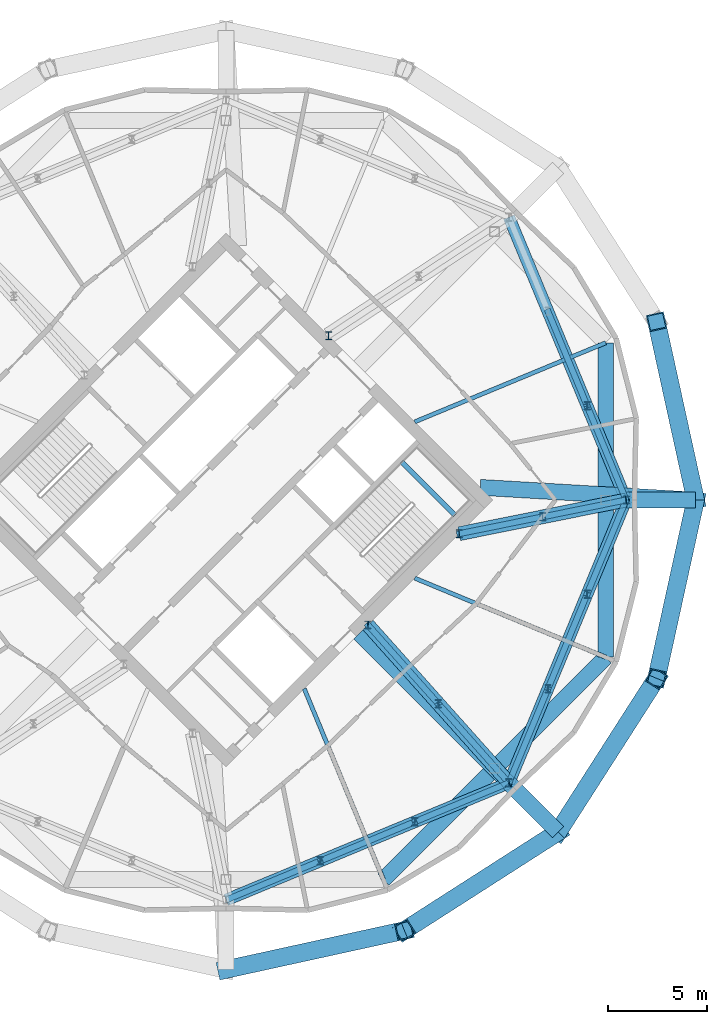
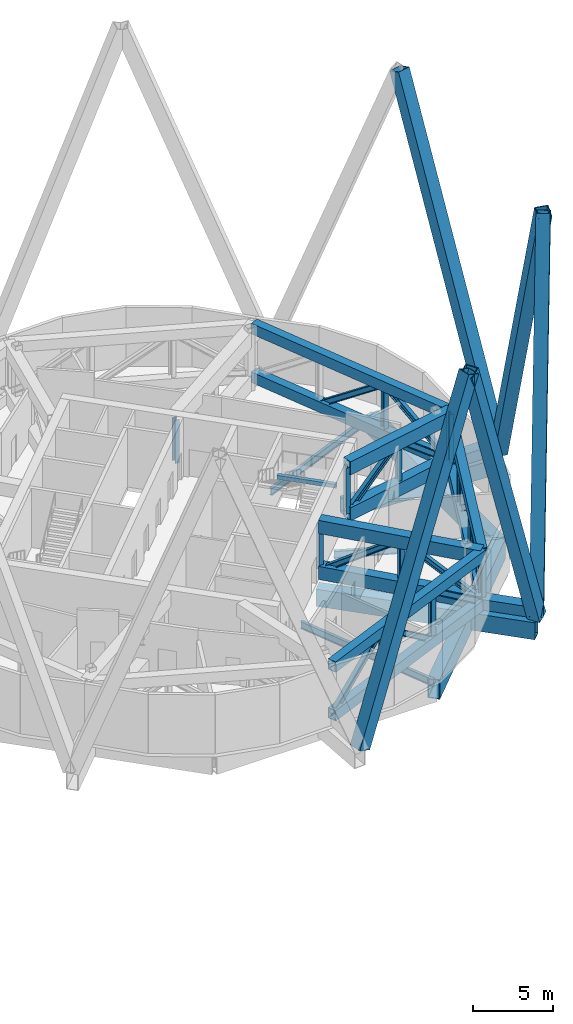
# One storey, part 9 of 19: 39 members, 10 beams.
"""IFC4 building model written with IfcOpenShell, lengths in metres."""

import ifcopenshell
import ifcopenshell.guid

model = None  # the IFC model being written
_history = None  # IfcOwnerHistory: only IFC2X3 demands one
_inside = {}  # id of a spatial element -> (the spatial element, [elements in it])
_under = {}  # id of a project, library or spatial element -> (it, [spatial elements below it])
_declared = {}  # id of a project -> (the project, [libraries it declares])
_typed = {}  # id of a type object -> (the type object, [elements of that type])
_made_of = {}  # id of a material, layer set ... -> (it, [elements and type objects made of it])


def new_model(schema):
    """Start an empty IFC model of exactly this schema.

    Asked for "IFC4X3", IfcOpenShell would pick the latest addendum, in which some entities
    have other attributes; the version numbers below select the first issue.
    IFC2X3 requires an IfcOwnerHistory on every rooted entity: one is made here for all.
    """
    global model, _history
    if schema == "IFC4X3":
        model = ifcopenshell.file(schema_version=(4, 3, 0, 0))
    else:
        model = ifcopenshell.file(schema=schema)
    _inside.clear()
    _under.clear()
    _declared.clear()
    _typed.clear()
    _made_of.clear()
    _history = None
    if model.schema == "IFC2X3":
        org = make("IfcOrganization", Name="unknown")
        user = make(
            "IfcPersonAndOrganization",
            ThePerson=make("IfcPerson", FamilyName="unknown"),
            TheOrganization=org,
        )
        app = make(
            "IfcApplication",
            ApplicationDeveloper=org,
            Version="unknown",
            ApplicationFullName="unknown",
            ApplicationIdentifier="unknown",
        )
        _history = make(
            "IfcOwnerHistory",
            OwningUser=user,
            OwningApplication=app,
            ChangeAction="ADDED",
            CreationDate=0,
        )
    return model


def make(cls, **values):
    """One entity of the class cls with the attributes given. An attribute that is None is left unset."""
    return model.create_entity(
        cls, **{name: value for name, value in values.items() if value is not None}
    )


def rooted(cls, **values):
    """An entity with a GlobalId (a new one), such as an element, a storey or a relation."""
    return make(cls, GlobalId=ifcopenshell.guid.new(), OwnerHistory=_history, **values)


def si_unit(unit_type, name, prefix=None):
    """IfcSIUnit, for example si_unit("LENGTHUNIT", "METRE", prefix="MILLI")."""
    return make("IfcSIUnit", UnitType=unit_type, Prefix=prefix, Name=name)


def assignment(units):
    """IfcUnitAssignment: the units of a project."""
    return None if units is None else make("IfcUnitAssignment", Units=units)


def point(xyz):
    """IfcCartesianPoint."""
    return None if xyz is None else make("IfcCartesianPoint", Coordinates=xyz)


def direction(xyz):
    """IfcDirection."""
    return None if xyz is None else make("IfcDirection", DirectionRatios=xyz)


def frame(location, z_axis=None, x_axis=None):
    """IfcAxis2Placement3D, a coordinate frame: its origin and axes. An axis left out is left unset."""
    return make(
        "IfcAxis2Placement3D",
        Location=point(location),
        Axis=direction(z_axis),
        RefDirection=direction(x_axis),
    )


def frame_2d(location, x_axis=None):
    """IfcAxis2Placement2D, a coordinate frame in the plane: its origin and x axis."""
    return make(
        "IfcAxis2Placement2D", Location=point(location), RefDirection=direction(x_axis)
    )


def origin():
    """The frame at (0, 0, 0) with its axes left unset."""
    return frame((0.0, 0.0, 0.0))


def origin_2d():
    """The frame at (0, 0) in the plane with its x axis left unset."""
    return frame_2d((0.0, 0.0))


def place(relative_to, where):
    """IfcLocalPlacement: puts the frame where relative to a parent placement (None: the world)."""
    return make(
        "IfcLocalPlacement", PlacementRelTo=relative_to, RelativePlacement=where
    )


def context(
    kind, dimensions, precision=None, world=None, true_north=None, identifier=None
):
    """IfcGeometricRepresentationContext, for example the 3D "Model" context."""
    return make(
        "IfcGeometricRepresentationContext",
        ContextIdentifier=identifier,
        ContextType=kind,
        CoordinateSpaceDimension=dimensions,
        Precision=precision,
        WorldCoordinateSystem=world,
        TrueNorth=true_north,
    )


def subcontext(parent, identifier, kind, view, scale=None):
    """IfcGeometricRepresentationSubContext, for example "Body" below "Model"."""
    return make(
        "IfcGeometricRepresentationSubContext",
        ContextIdentifier=identifier,
        ContextType=kind,
        ParentContext=parent,
        TargetScale=scale,
        TargetView=view,
    )


def project(units=None, contexts=None):
    """IfcProject with its units and contexts."""
    return rooted(
        "IfcProject",
        Name="project",
        RepresentationContexts=contexts,
        UnitsInContext=assignment(units),
    )


def spatial(cls, under=None, at=None, **own):
    """A site, building, storey or space (cls), placed at a placement, below another one or the project."""
    s = rooted(cls, ObjectPlacement=at, **own)
    if under is not None:
        _under.setdefault(under.id(), (under, []))[1].append(s)
    return s


def profile(cls, at=None, kind="AREA", **sizes):
    """A parametric profile (cls). Its sizes go by their IFC names, for example OverallWidth=200.0."""
    return make(cls, ProfileType=kind, Position=at, **sizes)


def rectangle(**sizes):
    """IfcRectangleProfileDef."""
    return profile("IfcRectangleProfileDef", **sizes)


def hollow_rectangle(**sizes):
    """IfcRectangleHollowProfileDef."""
    return profile("IfcRectangleHollowProfileDef", **sizes)


def i_section(**sizes):
    """IfcIShapeProfileDef."""
    return profile("IfcIShapeProfileDef", **sizes)


def extrude(swept, where, along, depth):
    """IfcExtrudedAreaSolid: the profile swept, set in the frame where, extruded along a direction by depth."""
    return make(
        "IfcExtrudedAreaSolid",
        SweptArea=swept,
        Position=where,
        ExtrudedDirection=direction(along),
        Depth=depth,
    )


def shape(context_of_items, identifier, shape_type, items):
    """IfcShapeRepresentation: the items that make up one representation, for example the "Body"."""
    return make(
        "IfcShapeRepresentation",
        ContextOfItems=context_of_items,
        RepresentationIdentifier=identifier,
        RepresentationType=shape_type,
        Items=items,
    )


def material(Name=None, Category=None):
    """IfcMaterial."""
    return make("IfcMaterial", Name=Name, Category=Category)


def material_profile(
    of_material, cross_section, Name=None, Category=None, Priority=None
):
    """IfcMaterialProfile: a cross section and its material."""
    return make(
        "IfcMaterialProfile",
        Name=Name,
        Material=of_material,
        Profile=cross_section,
        Priority=Priority,
        Category=Category,
    )


def profile_set(profiles, Name=None, composite=None):
    """IfcMaterialProfileSet."""
    return make(
        "IfcMaterialProfileSet",
        Name=Name,
        MaterialProfiles=profiles,
        CompositeProfile=composite,
    )


def made_of(thing, what):
    """Note that an element or type object is made of a material, layer set ...; save() writes the relation."""
    if what is not None:
        _made_of.setdefault(what.id(), (what, []))[1].append(thing)
    return thing


def type_object(cls, material=None, **own):
    """A type object (cls), such as IfcWallType, which elements share."""
    return made_of(rooted(cls, **own), material)


def element(
    cls,
    number,
    at=None,
    inside=None,
    cuts=None,
    type_object=None,
    material=None,
    context=None,
    identifier="Body",
    shape_type=None,
    held_by="IfcProductDefinitionShape",
    body=None,
    shapes=None,
    **own,
):
    """One element of the class cls, such as IfcWall. Its Tag is "e" and its number.

    at: its placement. inside: the storey or other place that contains it. cuts: it is an
    opening in that element (IfcRelVoidsElement). A single representation is given by context,
    identifier, shape_type and body (its items); several are given by shapes. held_by: the class
    of the entity that holds the representations. save() writes the other relations.
    """
    e = rooted(cls, Tag="e%d" % number, ObjectPlacement=at, **own)
    if body is not None:
        shapes = [shape(context, identifier, shape_type, body)]
    if shapes is not None:
        e.Representation = make(held_by, Representations=shapes)
    if inside is not None:
        _inside.setdefault(inside.id(), (inside, []))[1].append(e)
    if cuts is not None:
        rooted(
            "IfcRelVoidsElement", RelatingBuildingElement=cuts, RelatedOpeningElement=e
        )
    if type_object is not None:
        _typed.setdefault(type_object.id(), (type_object, []))[1].append(e)
    return made_of(e, material)


def aggregate(whole, parts):
    """IfcRelAggregates: a whole, such as a stair, and the parts it consists of."""
    return rooted("IfcRelAggregates", RelatingObject=whole, RelatedObjects=parts)


def save(model, path):
    """Write the relations noted so far, then the file.

    IfcRelAggregates (storeys below a building ...), IfcRelContainedInSpatialStructure (elements
    in a storey), IfcRelDefinesByType, IfcRelAssociatesMaterial and IfcRelDeclares: one each for
    every whole, place, type object, material and project.
    """
    for whole, parts in _under.values():
        aggregate(whole, parts)
    for where, things in _inside.values():
        rooted(
            "IfcRelContainedInSpatialStructure",
            RelatedElements=things,
            RelatingStructure=where,
        )
    for kind, things in _typed.values():
        rooted("IfcRelDefinesByType", RelatedObjects=things, RelatingType=kind)
    for what, things in _made_of.values():
        rooted("IfcRelAssociatesMaterial", RelatedObjects=things, RelatingMaterial=what)
    for by, libraries in _declared.values():
        rooted("IfcRelDeclares", RelatingContext=by, RelatedDefinitions=libraries)
    model.write(path)


model = new_model("IFC4")

# Units and contexts
model_context = context("Model", 3, precision=1e-05, world=origin(), true_north=direction((0.0, 1.0)))
body_context = subcontext(model_context, "Body", "Model", "MODEL_VIEW")
ifc_project = project(units=[si_unit("LENGTHUNIT", "METRE"), si_unit("AREAUNIT", "SQUARE_METRE"), si_unit("VOLUMEUNIT", "CUBIC_METRE"), si_unit("PLANEANGLEUNIT", "RADIAN"), si_unit("MASSUNIT", "GRAM", prefix="KILO")], contexts=[model_context])

# Site, building, storey
site_placement = place(None, origin())
site = spatial("IfcSite", under=ifc_project, at=site_placement, CompositionType="ELEMENT")
building_placement = place(site_placement, origin())
building = spatial("IfcBuilding", under=site, at=building_placement, Name="Ogive Gate Towers", CompositionType="ELEMENT")
storey_placement = place(building_placement, frame((0.0, 0.0, 216.300048828125)))
storey = spatial("IfcBuildingStorey", under=building, at=storey_placement, Name="L52", CompositionType="ELEMENT", Elevation=216.300048828125)

# Members
ifc_material_1 = material(Name="Steel SM460", Category="steel")
ifc_material_profile_1 = material_profile(ifc_material_1, hollow_rectangle(XDim=0.89990234375, YDim=0.89990234375, WallThickness=0.06005859375, at=origin_2d()), Name="BX 900x900x60")
ifc_profile_set_1 = profile_set([ifc_material_profile_1], Name="Steel SM460")
member_type_1 = type_object("IfcMemberType", Name="Diagrid diagonal BX 900x900x60", PredefinedType="BRACE", material=ifc_profile_set_1)
for number, where, z_axis, x_axis, name in (
    (1, (59.639892578125, 0.0, 0.0), (-0.075657502601, -0.345566183474, 0.935339486571), (0.976861702074, -0.21387195941, 0.0), "T2/L52/SDG001"),
    (2, (59.639892578125, 0.0, 0.0), (-0.075657502601, 0.345566183474, 0.935339486571), (-0.976861702074, -0.21387195941, 0.0), "T2/L52/SDG002"),
    (3, (36.0, -23.639892578125, 0.0), (0.345566183474, 0.075657502601, 0.935339486571), (-0.21387195941, 0.976861702074, 0.0), "T2/L52/SDG014"),
    (4, (52.716064453125, -16.716064453125, 0.0), (-0.297855932112, -0.190849196279, 0.935338670207), (0.539497618887, -0.841987125326, 0.0), "T2/L52/SDG015"),
    (5, (52.716064453125, -16.716064453125, 0.0), (0.190849196279, 0.297855932112, 0.935338670207), (-0.841987125326, 0.539497618887, 0.0), "T2/L52/SDG016"),
):
    element("IfcMember", number, at=place(storey_placement, frame(where, z_axis=z_axis, x_axis=x_axis)), inside=storey, type_object=member_type_1, Name=name, PredefinedType="BRACE", context=body_context, shape_type="SweptSolid", body=[
        extrude(hollow_rectangle(XDim=0.89990234375, YDim=0.89990234375, WallThickness=0.06005859375, at=origin_2d()), origin(), (0.0, 0.0, 1.0), 25.97998046875),
    ])

# Beams
ifc_material_profile_2 = material_profile(ifc_material_1, hollow_rectangle(XDim=0.800048828125, YDim=1.5, WallThickness=0.06005859375, at=origin_2d()), Name="BX 1500x800x60")
ifc_profile_set_2 = profile_set([ifc_material_profile_2], Name="Steel SM460")
beam_type_1 = type_object("IfcBeamType", Name="Edge girder BX 1500x800x60", PredefinedType="BEAM", material=ifc_profile_set_2)
beam_1_placement = place(storey_placement, frame((43.917724609375, -19.114990234375, -1.050048828125), z_axis=(0.707106781187, 0.707106781187, 0.0), x_axis=(-0.707106781187, 0.707106781187, 0.0)))
element("IfcBeam", 6, at=beam_1_placement, inside=storey, type_object=beam_type_1, Name="T2/L52/SBM019", PredefinedType="BEAM", context=body_context, shape_type="SweptSolid", body=[
    extrude(hollow_rectangle(XDim=0.800048828125, YDim=1.5, WallThickness=0.06005859375, at=origin_2d()), origin(), (0.0, 0.0, 1.0), 15.835205078125),
])
beam_2_placement = place(storey_placement, frame((55.114990234375, -7.917724609375, -1.050048828125), z_axis=(0.0, 1.0, 0.0), x_axis=(-1.0, 0.0, 0.0)))
element("IfcBeam", 7, at=beam_2_placement, inside=storey, type_object=beam_type_1, Name="T2/L52/SBM020", PredefinedType="BEAM", context=body_context, shape_type="SweptSolid", body=[
    extrude(hollow_rectangle(XDim=0.800048828125, YDim=1.5, WallThickness=0.06005859375, at=origin_2d()), origin(), (0.0, 0.0, 1.0), 15.83544921875),
])
ifc_material_2 = material(Name="Concrete C40/50", Category="concrete")
ifc_material_profile_3 = material_profile(ifc_material_2, rectangle(XDim=0.25, YDim=0.300048828125, at=origin_2d()), Name="RC 250x300")
ifc_profile_set_3 = profile_set([ifc_material_profile_3], Name="Concrete C40/50")
beam_type_2 = type_object("IfcBeamType", Name="Landing bearer RC 250x300", PredefinedType="BEAM", material=ifc_profile_set_3)
beam_3_placement = place(storey_placement, frame((47.527587890625, -0.77587890625, 2.050048828125), z_axis=(-0.707106781187, 0.707106781187, 0.0), x_axis=(-0.707106781187, -0.707106781187, 0.0)))
element("IfcBeam", 8, at=beam_3_placement, inside=storey, type_object=beam_type_2, Name="T2 L52 stair 2 landing bearer 1", PredefinedType="BEAM", context=body_context, shape_type="SweptSolid", body=[
    extrude(rectangle(XDim=0.25, YDim=0.300048828125, at=origin_2d()), origin(), (0.0, 0.0, 1.0), 3.824951171875),
])
ifc_material_profile_4 = material_profile(ifc_material_1, hollow_rectangle(XDim=0.800048828125, YDim=0.800048828125, WallThickness=0.050048828125, at=origin_2d()), Name="BX 800x800x50")
ifc_profile_set_4 = profile_set([ifc_material_profile_4], Name="Steel SM460")
beam_type_3 = type_object("IfcBeamType", Name="Node arm BX 800x800x50", PredefinedType="BEAM", material=ifc_profile_set_4)
for number, where, z_axis, x_axis, name in (
    (9, (56.139892578125, 0.0, 0.449951171875), (1.0, 0.0, 0.0), (0.0, 1.0, 0.0), "T2/L52/SBM025"),
    (10, (50.2412109375, -14.2412109375, 0.449951171875), (0.707106781187, -0.707106781187, 0.0), (0.707106781187, 0.707106781187, 0.0), "T2/L52/SBM032"),
):
    element("IfcBeam", number, at=place(storey_placement, frame(where, z_axis=z_axis, x_axis=x_axis)), inside=storey, type_object=beam_type_3, Name=name, PredefinedType="BEAM", context=body_context, shape_type="SweptSolid", body=[
        extrude(hollow_rectangle(XDim=0.800048828125, YDim=0.800048828125, WallThickness=0.050048828125, at=origin_2d()), origin(), (0.0, 0.0, 1.0), 3.5),
    ])
ifc_material_3 = material(Name="Steel SM355", Category="steel")
ifc_material_profile_5 = material_profile(ifc_material_3, i_section(OverallWidth=0.2099609375, OverallDepth=0.550048828125, WebThickness=0.010986328125, FlangeThickness=0.01708984375, FilletRadius=0.02392578125, at=origin_2d()), Name="IPE 550")
ifc_profile_set_5 = profile_set([ifc_material_profile_5], Name="Steel SM355")
beam_type_4 = type_object("IfcBeamType", Name="Radial floor beam IPE 550", PredefinedType="BEAM", material=ifc_profile_set_5)
for number, where, z_axis, x_axis, name in (
    (11, (39.93505859375, -9.5, -0.574951171875), (0.382683978464, -0.92387930631, 0.0), (0.92387930631, 0.382683978464, 0.0), "T2/L52/SBM005"),
    (12, (45.5, -3.93505859375, -0.574951171875), (0.92387930631, -0.382683978464, 0.0), (0.382683978464, 0.92387930631, 0.0), "T2/L52/SBM007"),
    (13, (45.5, 3.93505859375, -0.574951171875), (0.92387930631, 0.382683978464, 0.0), (-0.382683978464, 0.92387930631, 0.0), "T2/L52/SBM009"),
):
    element("IfcBeam", number, at=place(storey_placement, frame(where, z_axis=z_axis, x_axis=x_axis)), inside=storey, type_object=beam_type_4, Name=name, PredefinedType="BEAM", context=body_context, shape_type="SweptSolid", body=[
        extrude(i_section(OverallWidth=0.2099609375, OverallDepth=0.550048828125, WebThickness=0.010986328125, FlangeThickness=0.01708984375, FilletRadius=0.02392578125, at=origin_2d()), origin(), (0.0, 0.0, 1.0), 10.4072265625),
    ])
ifc_material_profile_6 = material_profile(ifc_material_1, hollow_rectangle(XDim=0.800048828125, YDim=1.199951171875, WallThickness=0.050048828125, at=origin_2d()), Name="BX 1200x800x50")
ifc_profile_set_6 = profile_set([ifc_material_profile_6], Name="Steel SM460")
beam_type_5 = type_object("IfcBeamType", Name="Transfer radial beam BX 1200x800x50", PredefinedType="BEAM", material=ifc_profile_set_6)
beam_4_placement = place(storey_placement, frame((48.798583984375, 0.636474609375, -0.900146484375), z_axis=(0.998281110822, -0.058607369633, 0.0), x_axis=(0.058607369633, 0.998281110822, 0.0)))
element("IfcBeam", 14, at=beam_4_placement, inside=storey, type_object=beam_type_5, Name="T2/L52/SBM008", PredefinedType="BEAM", context=body_context, shape_type="SweptSolid", body=[
    extrude(hollow_rectangle(XDim=0.800048828125, YDim=1.199951171875, WallThickness=0.050048828125, at=origin_2d()), origin(), (0.0, 0.0, 1.0), 10.85986328125),
])
ifc_material_profile_7 = material_profile(ifc_material_1, hollow_rectangle(XDim=0.800048828125, YDim=1.300048828125, WallThickness=0.050048828125, at=origin_2d()), Name="BX 1300x800x50")
ifc_profile_set_7 = profile_set([ifc_material_profile_7], Name="Steel SM460")
beam_type_6 = type_object("IfcBeamType", Name="Transfer radial beam BX 1300x800x50", PredefinedType="BEAM", material=ifc_profile_set_7)
beam_5_placement = place(storey_placement, frame((42.717529296875, -6.717529296875, -0.949951171875), z_axis=(0.707106781187, -0.707106781187, 0.0), x_axis=(0.707106781187, 0.707106781187, 0.0)))
element("IfcBeam", 15, at=beam_5_placement, inside=storey, type_object=beam_type_6, Name="T2/L52/SBM006", PredefinedType="BEAM", context=body_context, shape_type="SweptSolid", body=[
    extrude(hollow_rectangle(XDim=0.800048828125, YDim=1.300048828125, WallThickness=0.050048828125, at=origin_2d()), origin(), (0.0, 0.0, 1.0), 14.14013671875),
])

# Members
ifc_material_profile_8 = material_profile(ifc_material_1, hollow_rectangle(XDim=0.699951171875, YDim=1.0, WallThickness=0.050048828125, at=origin_2d()), Name="BX 1000x700x50")
ifc_profile_set_8 = profile_set([ifc_material_profile_8], Name="Steel SM460")
member_type_2 = type_object("IfcMemberType", Name="Truss chord BX 1000x700x50", PredefinedType="CHORD", material=ifc_profile_set_8)
for number, where, z_axis, x_axis, name in (
    (16, (47.738037109375, -1.697021484375, 0.5), (0.980205334573, 0.197983590417, 0.0), (-0.197983590417, 0.980205334573, 0.0), "T2/L52/STR010"),
    (17, (47.738037109375, -1.697021484375, 4.0), (0.980205334573, 0.197983590417, 0.0), (-0.197983590417, 0.980205334573, 0.0), "T2/L52/STR011"),
):
    element("IfcMember", number, at=place(storey_placement, frame(where, z_axis=z_axis, x_axis=x_axis)), inside=storey, type_object=member_type_2, Name=name, PredefinedType="CHORD", context=body_context, shape_type="SweptSolid", body=[
        extrude(hollow_rectangle(XDim=0.699951171875, YDim=1.0, WallThickness=0.050048828125, at=origin_2d()), origin(), (0.0, 0.0, 1.0), 8.571533203125),
    ])
for number, where, z_axis, x_axis, name in (
    (18, (43.141845703125, -6.293212890625, 0.5), (0.666169175231, -0.745800663697, 0.0), (0.745800663697, 0.666169175231, 0.0), "T2/L52/STR107"),
    (19, (43.141845703125, -6.293212890625, 4.0), (0.666169175231, -0.745800663697, 0.0), (0.745800663697, 0.666169175231, 0.0), "T2/L52/STR108"),
):
    element("IfcMember", number, at=place(storey_placement, frame(where, z_axis=z_axis, x_axis=x_axis)), inside=storey, type_object=member_type_2, Name=name, PredefinedType="CHORD", context=body_context, shape_type="SweptSolid", body=[
        extrude(hollow_rectangle(XDim=0.699951171875, YDim=1.0, WallThickness=0.050048828125, at=origin_2d()), origin(), (0.0, 0.0, 1.0), 10.656982421875),
    ])
ifc_material_profile_9 = material_profile(ifc_material_1, hollow_rectangle(XDim=0.60009765625, YDim=0.800048828125, WallThickness=0.0400390625, at=origin_2d()), Name="BX 800x600x40")
ifc_profile_set_9 = profile_set([ifc_material_profile_9], Name="Steel SM460")
member_type_3 = type_object("IfcMemberType", Name="Truss chord BX 800x600x40", PredefinedType="CHORD", material=ifc_profile_set_9)
for number, where, z_axis, x_axis, name in (
    (20, (56.139892578125, 0.0, 0.39990234375), (-0.382671190687, 0.923884603085, 0.0), (-0.923884603085, -0.382671190687, 0.0), "T2/L52/STR001"),
    (21, (56.139892578125, 0.0, 4.099853515625), (-0.382671190687, 0.923884603085, 0.0), (-0.923884603085, -0.382671190687, 0.0), "T2/L52/STR002"),
    (22, (36.0, -20.139892578125, 0.39990234375), (0.923884603085, 0.382671190687, 0.0), (-0.382671190687, 0.923884603085, 0.0), "T2/L52/STR086"),
    (23, (36.0, -20.139892578125, 4.099853515625), (0.923884603085, 0.382671190687, 0.0), (-0.382671190687, 0.923884603085, 0.0), "T2/L52/STR087"),
    (24, (50.2412109375, -14.2412109375, 0.39990234375), (0.382671190687, 0.923884603085, 0.0), (-0.923884603085, 0.382671190687, 0.0), "T2/L52/STR100"),
    (25, (50.2412109375, -14.2412109375, 4.099853515625), (0.382671190687, 0.923884603085, 0.0), (-0.923884603085, 0.382671190687, 0.0), "T2/L52/STR101"),
):
    element("IfcMember", number, at=place(storey_placement, frame(where, z_axis=z_axis, x_axis=x_axis)), inside=storey, type_object=member_type_3, Name=name, PredefinedType="CHORD", context=body_context, shape_type="SweptSolid", body=[
        extrude(hollow_rectangle(XDim=0.60009765625, YDim=0.800048828125, WallThickness=0.0400390625, at=origin_2d()), origin(), (0.0, 0.0, 1.0), 15.41455078125),
    ])
ifc_material_profile_10 = material_profile(ifc_material_1, i_section(OverallWidth=0.300048828125, OverallDepth=0.39990234375, WebThickness=0.013427734375, FlangeThickness=0.02392578125, FilletRadius=0.027099609375, at=origin_2d()), Name="HE 400 B")
ifc_profile_set_10 = profile_set([ifc_material_profile_10], Name="Steel SM460")
member_type_4 = type_object("IfcMemberType", Name="Truss diagonal HE 400 B", PredefinedType="BRACE", material=ifc_profile_set_10)
member_1_placement = place(storey_placement, frame((56.139892578125, 0.0, 0.39990234375), z_axis=(-0.310514020445, 0.749737316967, 0.584358621613), x_axis=(-0.923895801957, -0.382644152086, 0.0)))
element("IfcMember", 26, at=member_1_placement, inside=storey, type_object=member_type_4, Name="T2/L52/STR003", PredefinedType="BRACE", context=body_context, shape_type="SweptSolid", body=[
    extrude(i_section(OverallWidth=0.300048828125, OverallDepth=0.39990234375, WebThickness=0.013427734375, FlangeThickness=0.02392578125, FilletRadius=0.027099609375, at=origin_2d()), origin(), (0.0, 0.0, 1.0), 6.33154296875),
])
member_2_placement = place(storey_placement, frame((54.173828125, 4.7470703125, 4.099853515625), z_axis=(-0.310548860821, 0.74972833993, -0.58435162475), x_axis=(-0.923879003455, -0.382684709619, 0.0)))
element("IfcMember", 27, at=member_2_placement, inside=storey, type_object=member_type_4, Name="T2/L52/STR004", PredefinedType="BRACE", context=body_context, shape_type="SweptSolid", body=[
    extrude(i_section(OverallWidth=0.300048828125, OverallDepth=0.39990234375, WebThickness=0.013427734375, FlangeThickness=0.02392578125, FilletRadius=0.027099609375, at=origin_2d()), origin(), (0.0, 0.0, 1.0), 6.331787109375),
])
member_3_placement = place(storey_placement, frame((47.738037109375, -1.697021484375, 0.5), z_axis=(0.759206542571, 0.153323806325, 0.632532399274), x_axis=(-0.197956223889, 0.980210861715, 0.0)))
element("IfcMember", 28, at=member_3_placement, inside=storey, type_object=member_type_4, Name="T2/L52/STR012", PredefinedType="BRACE", context=body_context, shape_type="SweptSolid", body=[
    extrude(i_section(OverallWidth=0.300048828125, OverallDepth=0.39990234375, WebThickness=0.013427734375, FlangeThickness=0.02392578125, FilletRadius=0.027099609375, at=origin_2d()), origin(), (0.0, 0.0, 1.0), 5.533203125),
])
member_4_placement = place(storey_placement, frame((51.93896484375, -0.8486328125, 4.0), z_axis=(0.759201405893, 0.153366890619, -0.632528119653), x_axis=(-0.198010956482, 0.98019980673, 0.0)))
element("IfcMember", 29, at=member_4_placement, inside=storey, type_object=member_type_4, Name="T2/L52/STR013", PredefinedType="BRACE", context=body_context, shape_type="SweptSolid", body=[
    extrude(i_section(OverallWidth=0.300048828125, OverallDepth=0.39990234375, WebThickness=0.013427734375, FlangeThickness=0.02392578125, FilletRadius=0.027099609375, at=origin_2d()), origin(), (0.0, 0.0, 1.0), 5.533447265625),
])
member_5_placement = place(storey_placement, frame((36.0, -20.139892578125, 0.39990234375), z_axis=(0.749737316967, 0.310514020445, 0.584358621613), x_axis=(-0.382644152086, 0.923895801957, 0.0)))
element("IfcMember", 30, at=member_5_placement, inside=storey, type_object=member_type_4, Name="T2/L52/STR088", PredefinedType="BRACE", context=body_context, shape_type="SweptSolid", body=[
    extrude(i_section(OverallWidth=0.300048828125, OverallDepth=0.39990234375, WebThickness=0.013427734375, FlangeThickness=0.02392578125, FilletRadius=0.027099609375, at=origin_2d()), origin(), (0.0, 0.0, 1.0), 6.33154296875),
])
for number, where, z_axis, x_axis, name in (
    (31, (40.7470703125, -18.173828125, 4.099853515625), (0.74972833993, 0.310548860821, -0.58435162475), (-0.382684709619, 0.923879003455, 0.0), "T2/L52/STR089"),
    (32, (45.494140625, -16.20751953125, 4.099853515625), (0.74972833993, 0.310548860821, -0.58435162475), (-0.382684709619, 0.923879003455, 0.0), "T2/L52/STR090"),
    (33, (50.2412109375, -14.2412109375, 0.39990234375), (0.310548860821, 0.74972833993, 0.58435162475), (-0.923879003455, 0.382684709619, 0.0), "T2/L52/STR102"),
    (34, (52.20751953125, -9.494140625, 4.099853515625), (0.310548860821, 0.74972833993, -0.58435162475), (-0.923879003455, 0.382684709619, 0.0), "T2/L52/STR103"),
):
    element("IfcMember", number, at=place(storey_placement, frame(where, z_axis=z_axis, x_axis=x_axis)), inside=storey, type_object=member_type_4, Name=name, PredefinedType="BRACE", context=body_context, shape_type="SweptSolid", body=[
        extrude(i_section(OverallWidth=0.300048828125, OverallDepth=0.39990234375, WebThickness=0.013427734375, FlangeThickness=0.02392578125, FilletRadius=0.027099609375, at=origin_2d()), origin(), (0.0, 0.0, 1.0), 6.331787109375),
    ])
member_6_placement = place(storey_placement, frame((54.173828125, -4.7470703125, 4.099853515625), z_axis=(0.310514020445, 0.749737316967, -0.584358621613), x_axis=(-0.923895801957, 0.382644152086, 0.0)))
element("IfcMember", 35, at=member_6_placement, inside=storey, type_object=member_type_4, Name="T2/L52/STR104", PredefinedType="BRACE", context=body_context, shape_type="SweptSolid", body=[
    extrude(i_section(OverallWidth=0.300048828125, OverallDepth=0.39990234375, WebThickness=0.013427734375, FlangeThickness=0.02392578125, FilletRadius=0.027099609375, at=origin_2d()), origin(), (0.0, 0.0, 1.0), 6.33154296875),
])
for number, where, z_axis, x_axis, name in (
    (36, (43.141845703125, -6.293212890625, 0.5), (0.556777415716, -0.623373187498, 0.549003441207), (0.745822211667, 0.666145050709, 0.0), "T2/L52/STR109"),
    (37, (46.69140625, -10.267333984375, 4.0), (0.556817130401, -0.623336480849, -0.549004840539), (0.745779114868, 0.666193299145, 0.0), "T2/L52/STR110"),
):
    element("IfcMember", number, at=place(storey_placement, frame(where, z_axis=z_axis, x_axis=x_axis)), inside=storey, type_object=member_type_4, Name=name, PredefinedType="BRACE", context=body_context, shape_type="SweptSolid", body=[
        extrude(i_section(OverallWidth=0.300048828125, OverallDepth=0.39990234375, WebThickness=0.013427734375, FlangeThickness=0.02392578125, FilletRadius=0.027099609375, at=origin_2d()), origin(), (0.0, 0.0, 1.0), 6.375244140625),
    ])
ifc_material_profile_11 = material_profile(ifc_material_1, i_section(OverallWidth=0.300048828125, OverallDepth=0.39990234375, WebThickness=0.013427734375, FlangeThickness=0.02392578125, FilletRadius=0.027099609375, at=origin_2d()), Name="HE 400 B")
ifc_profile_set_11 = profile_set([ifc_material_profile_11], Name="Steel SM460")
member_type_5 = type_object("IfcMemberType", Name="Truss post HE 400 B", PredefinedType="POST", material=ifc_profile_set_11)
for number, where, z_axis, x_axis, name in (
    (38, (56.139892578125, 0.0, 0.39990234375), (0.0, 0.0, 1.0), (1.0, 0.0, 0.0), "T2/L52/STR006"),
    (39, (54.173828125, 4.7470703125, 0.39990234375), (0.0, 0.0, 1.0), (1.0, 0.0, 0.0), "T2/L52/STR007"),
):
    element("IfcMember", number, at=place(storey_placement, frame(where, z_axis=z_axis, x_axis=x_axis)), inside=storey, type_object=member_type_5, Name=name, PredefinedType="POST", context=body_context, shape_type="SweptSolid", body=[
        extrude(i_section(OverallWidth=0.300048828125, OverallDepth=0.39990234375, WebThickness=0.013427734375, FlangeThickness=0.02392578125, FilletRadius=0.027099609375, at=origin_2d()), origin(), (0.0, 0.0, 1.0), 3.699951171875),
    ])
for number, where, z_axis, x_axis, name in (
    (40, (47.738037109375, -1.697021484375, 0.5), (0.0, 0.0, 1.0), (1.0, 0.0, 0.0), "T2/L52/STR014"),
    (41, (51.93896484375, -0.8486328125, 0.5), (0.0, 0.0, 1.0), (1.0, 0.0, 0.0), "T2/L52/STR015"),
):
    element("IfcMember", number, at=place(storey_placement, frame(where, z_axis=z_axis, x_axis=x_axis)), inside=storey, type_object=member_type_5, Name=name, PredefinedType="POST", context=body_context, shape_type="SweptSolid", body=[
        extrude(i_section(OverallWidth=0.300048828125, OverallDepth=0.39990234375, WebThickness=0.013427734375, FlangeThickness=0.02392578125, FilletRadius=0.027099609375, at=origin_2d()), origin(), (0.0, 0.0, 1.0), 3.5),
    ])
member_7_placement = place(storey_placement, frame((41.161865234375, 8.273193359375, 0.599853515625), z_axis=(0.0, 0.0, 1.0), x_axis=(1.0, 0.0, 0.0)))
element("IfcMember", 42, at=member_7_placement, inside=storey, type_object=member_type_5, Name="T2/L52/STR028", PredefinedType="POST", context=body_context, shape_type="SweptSolid", body=[
    extrude(i_section(OverallWidth=0.300048828125, OverallDepth=0.39990234375, WebThickness=0.013427734375, FlangeThickness=0.02392578125, FilletRadius=0.027099609375, at=origin_2d()), origin(), (0.0, 0.0, 1.0), 3.300048828125),
])
for number, where, z_axis, x_axis, name in (
    (43, (40.7470703125, -18.173828125, 0.39990234375), (0.0, 0.0, 1.0), (1.0, 0.0, 0.0), "T2/L52/STR091"),
    (44, (45.494140625, -16.20751953125, 0.39990234375), (0.0, 0.0, 1.0), (1.0, 0.0, 0.0), "T2/L52/STR092"),
    (45, (50.2412109375, -14.2412109375, 0.39990234375), (0.0, 0.0, 1.0), (1.0, 0.0, 0.0), "T2/L52/STR093"),
    (46, (52.20751953125, -9.494140625, 0.39990234375), (0.0, 0.0, 1.0), (1.0, 0.0, 0.0), "T2/L52/STR105"),
    (47, (54.173828125, -4.7470703125, 0.39990234375), (0.0, 0.0, 1.0), (1.0, 0.0, 0.0), "T2/L52/STR106"),
):
    element("IfcMember", number, at=place(storey_placement, frame(where, z_axis=z_axis, x_axis=x_axis)), inside=storey, type_object=member_type_5, Name=name, PredefinedType="POST", context=body_context, shape_type="SweptSolid", body=[
        extrude(i_section(OverallWidth=0.300048828125, OverallDepth=0.39990234375, WebThickness=0.013427734375, FlangeThickness=0.02392578125, FilletRadius=0.027099609375, at=origin_2d()), origin(), (0.0, 0.0, 1.0), 3.699951171875),
    ])
for number, where, z_axis, x_axis, name in (
    (48, (43.141845703125, -6.293212890625, 0.5), (0.0, 0.0, 1.0), (1.0, 0.0, 0.0), "T2/L52/STR111"),
    (49, (46.69140625, -10.267333984375, 0.5), (0.0, 0.0, 1.0), (1.0, 0.0, 0.0), "T2/L52/STR112"),
):
    element("IfcMember", number, at=place(storey_placement, frame(where, z_axis=z_axis, x_axis=x_axis)), inside=storey, type_object=member_type_5, Name=name, PredefinedType="POST", context=body_context, shape_type="SweptSolid", body=[
        extrude(i_section(OverallWidth=0.300048828125, OverallDepth=0.39990234375, WebThickness=0.013427734375, FlangeThickness=0.02392578125, FilletRadius=0.027099609375, at=origin_2d()), origin(), (0.0, 0.0, 1.0), 3.5),
    ])

save(model, "model.ifc")
